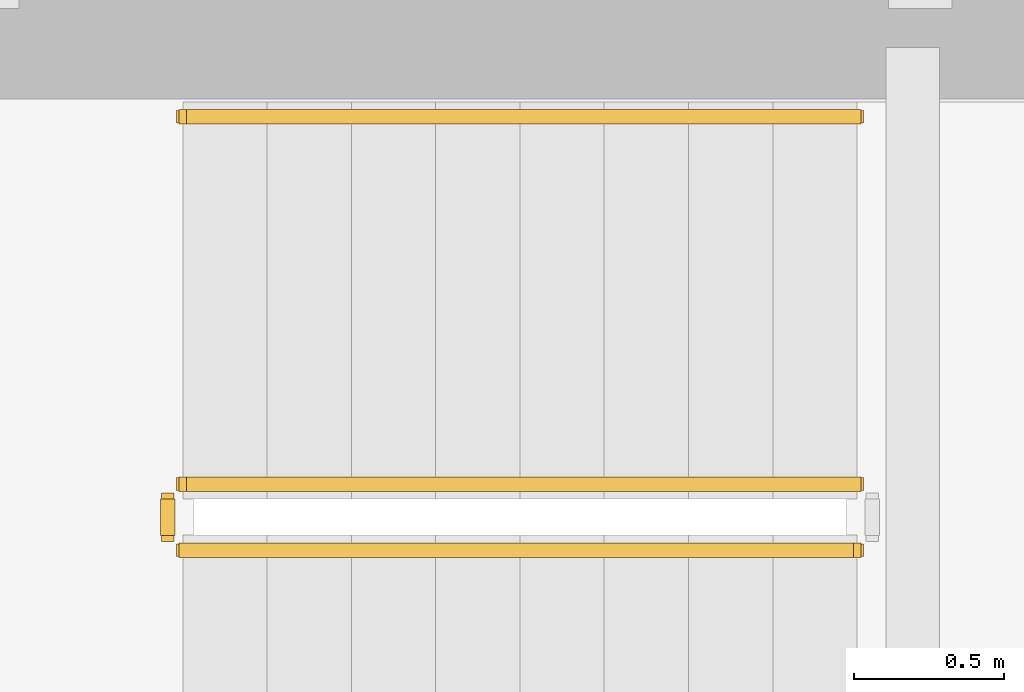
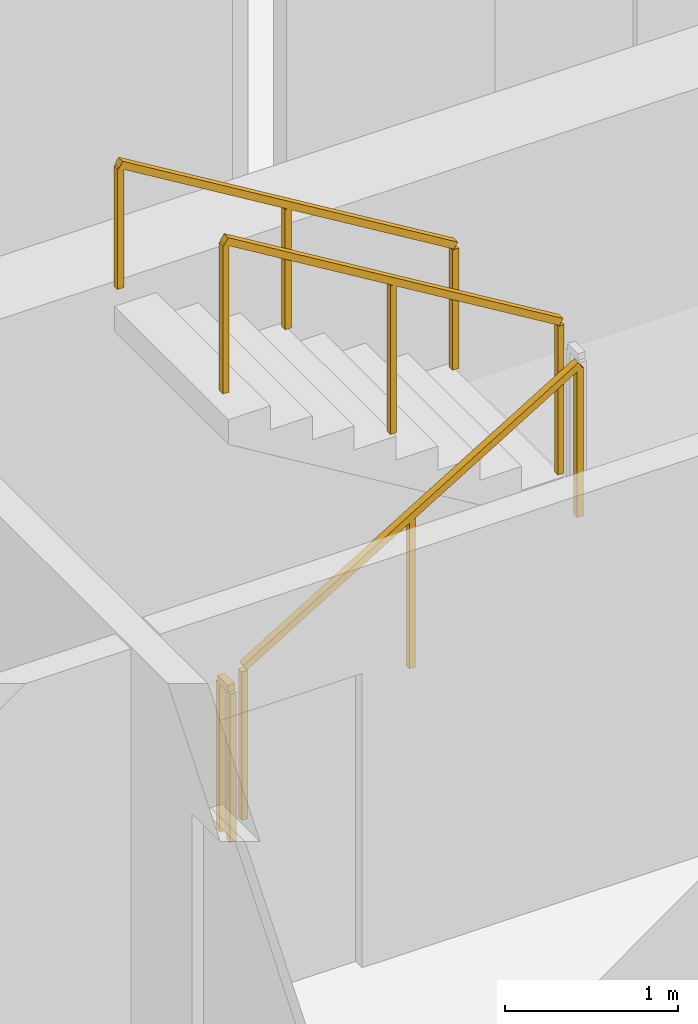
# One storey, part 11 of 13: 4 railings.
"""IFC4 building model written with IfcOpenShell, lengths in metres."""

from ifc_helpers import new_model, si_unit, direction, frame, origin, origin_2d, place, context, subcontext, project, spatial, rectangle, extrude, material, type_object, element, save


model = new_model("IFC4")

# Units and contexts
model_context = context("Model", 3, precision=1e-05, world=origin(), true_north=direction((0.0, 1.0)))
body_context = subcontext(model_context, "Body", "Model", "MODEL_VIEW")
ifc_project = project(units=[si_unit("LENGTHUNIT", "METRE"), si_unit("AREAUNIT", "SQUARE_METRE"), si_unit("VOLUMEUNIT", "CUBIC_METRE"), si_unit("PLANEANGLEUNIT", "RADIAN"), si_unit("MASSUNIT", "GRAM", prefix="KILO")], contexts=[model_context])

# Site, building, storey
site_placement = place(None, origin())
site = spatial("IfcSite", under=ifc_project, at=site_placement, CompositionType="ELEMENT")
building_placement = place(site_placement, origin())
building = spatial("IfcBuilding", under=site, at=building_placement, Name="Qhalaya Broadcast Tower", CompositionType="ELEMENT")
storey_placement = place(building_placement, frame((0.0, 0.0, 44.39990234375)))
storey = spatial("IfcBuildingStorey", under=building, at=storey_placement, Name="L12", CompositionType="ELEMENT", Elevation=44.39990234375)

# Railings
ifc_material = material(Name="Powder-Coated Galvanised Steel", Category="steel")
railing_type_1 = type_object("IfcRailingType", Name="Stair Wall Handrail 900", PredefinedType="HANDRAIL", material=ifc_material)
railing_1_placement = place(storey_placement, frame((5.989990234375, 9.590087890625, 1.694580078125)))
element("IfcRailing", 1, at=railing_1_placement, inside=storey, type_object=railing_type_1, Name="L12 ST-1 Stair Handrail 2", PredefinedType="HANDRAIL", context=body_context, shape_type="SweptSolid", body=[
    extrude(rectangle(XDim=0.048095703125, YDim=0.048095703125, at=origin_2d()), frame((0.0, 0.0, 0.8759765625), z_axis=(-0.855553338991, 0.0, 0.51771467445), x_axis=(0.0, -1.0, 0.0)), (0.0, 0.0, 1.0), 2.6181640625),
    extrude(rectangle(XDim=0.0419921875, YDim=0.0419921875, at=origin_2d()), origin(), (0.0, 0.0, 1.0), 0.849853515625),
    extrude(rectangle(XDim=0.0419921875, YDim=0.0419921875, at=origin_2d()), frame((-1.1201171875, 0.0, 0.677734375)), (0.0, 0.0, 1.0), 0.849853515625),
    extrude(rectangle(XDim=0.0419921875, YDim=0.0419921875, at=origin_2d()), frame((-2.239990234375, 0.0, 1.35546875)), (0.0, 0.0, 1.0), 0.849853515625),
])
railing_type_2 = type_object("IfcRailingType", Name="Stair Well & Landing Guardrail 1100", PredefinedType="GUARDRAIL", material=ifc_material)
railing_2_placement = place(storey_placement, frame((3.75, 8.14990234375, 0.16943359375)))
element("IfcRailing", 2, at=railing_2_placement, inside=storey, type_object=railing_type_2, Name="L12 ST-1 Stair Guard 1", PredefinedType="GUARDRAIL", context=body_context, shape_type="SweptSolid", body=[
    extrude(rectangle(XDim=0.048095703125, YDim=0.048095703125, at=origin_2d()), frame((0.0, 0.0, 1.076171875), z_axis=(0.855512035549, 0.0, 0.517782924622), x_axis=(0.0, 1.0, 0.0)), (0.0, 0.0, 1.0), 2.618408203125),
    extrude(rectangle(XDim=0.0419921875, YDim=0.0419921875, at=origin_2d()), origin(), (0.0, 0.0, 1.0), 1.050048828125),
    extrude(rectangle(XDim=0.0419921875, YDim=0.0419921875, at=origin_2d()), frame((1.1201171875, 0.0, 0.677734375)), (0.0, 0.0, 1.0), 1.050048828125),
    extrude(rectangle(XDim=0.0419921875, YDim=0.0419921875, at=origin_2d()), frame((2.239990234375, 0.0, 1.355712890625)), (0.0, 0.0, 1.0), 1.050048828125),
])
railing_3_placement = place(storey_placement, frame((5.989990234375, 8.3701171875, 1.694580078125)))
element("IfcRailing", 3, at=railing_3_placement, inside=storey, type_object=railing_type_2, Name="L12 ST-1 Stair Guard 3", PredefinedType="GUARDRAIL", context=body_context, shape_type="SweptSolid", body=[
    extrude(rectangle(XDim=0.048095703125, YDim=0.048095703125, at=origin_2d()), frame((0.0, 0.0, 1.076171875), z_axis=(-0.855553338991, 0.0, 0.51771467445), x_axis=(0.0, -1.0, 0.0)), (0.0, 0.0, 1.0), 2.6181640625),
    extrude(rectangle(XDim=0.0419921875, YDim=0.0419921875, at=origin_2d()), origin(), (0.0, 0.0, 1.0), 1.050048828125),
    extrude(rectangle(XDim=0.0419921875, YDim=0.0419921875, at=origin_2d()), frame((-1.1201171875, 0.0, 0.677734375)), (0.0, 0.0, 1.0), 1.050048828125),
    extrude(rectangle(XDim=0.0419921875, YDim=0.0419921875, at=origin_2d()), frame((-2.239990234375, 0.0, 1.35546875)), (0.0, 0.0, 1.0), 1.050048828125),
])
railing_4_placement = place(storey_placement, frame((3.699951171875, 8.199951171875, 0.0)))
element("IfcRailing", 4, at=railing_4_placement, inside=storey, type_object=railing_type_2, Name="L12 ST-1 Stair Guard 4", PredefinedType="GUARDRAIL", context=body_context, shape_type="SweptSolid", body=[
    extrude(rectangle(XDim=0.048095703125, YDim=0.048095703125, at=origin_2d()), frame((0.0, 0.0, 1.076171875), z_axis=(0.0, 1.0, 0.0), x_axis=(-1.0, 0.0, 0.0)), (0.0, 0.0, 1.0), 0.1201171875),
    extrude(rectangle(XDim=0.0419921875, YDim=0.0419921875, at=origin_2d()), origin(), (0.0, 0.0, 1.0), 1.050048828125),
    extrude(rectangle(XDim=0.0419921875, YDim=0.0419921875, at=origin_2d()), frame((0.0, 0.1201171875, 0.0)), (0.0, 0.0, 1.0), 1.050048828125),
])

save(model, "model.ifc")
